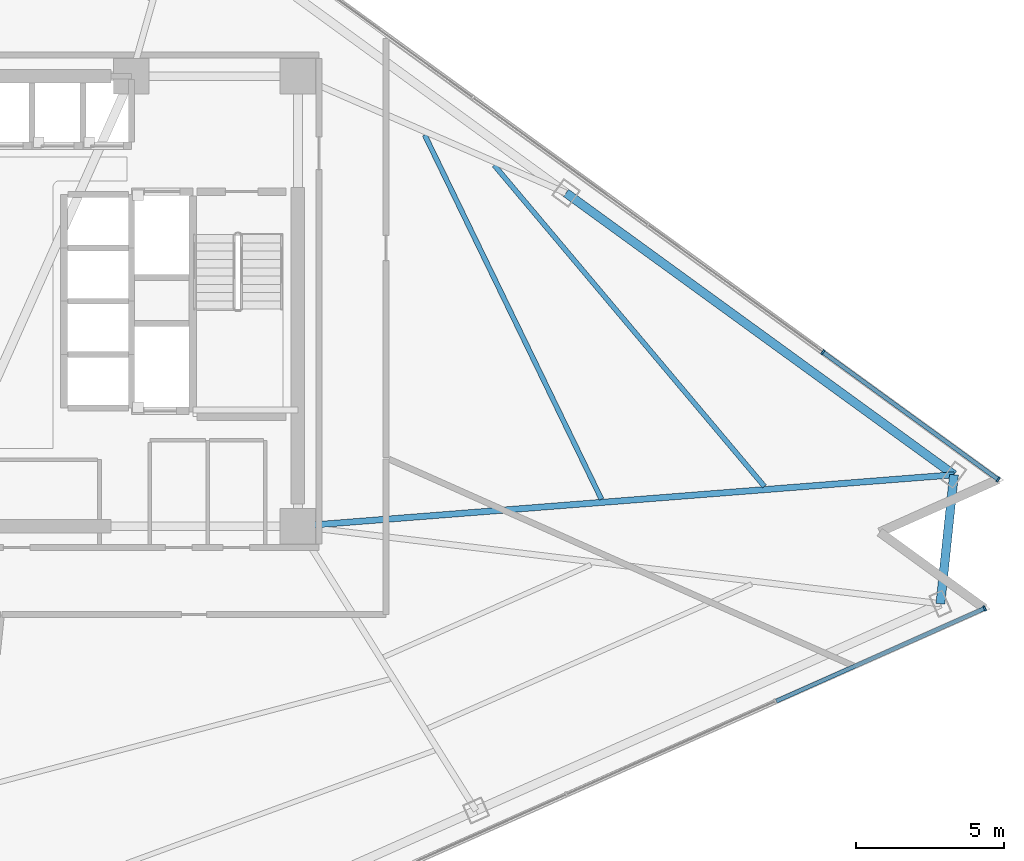
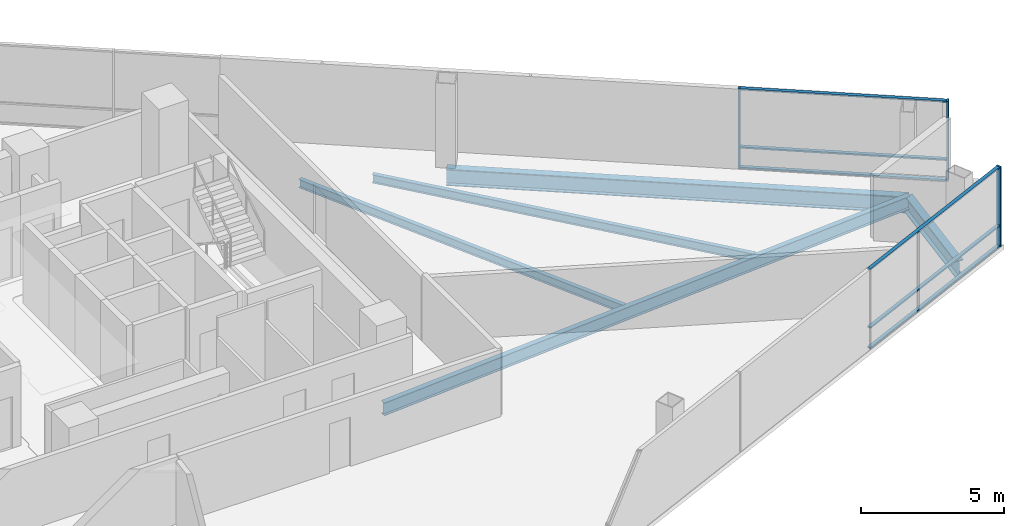
# One storey, part 6 of 16: 9 members, 5 beams, 2 elements without a shape of their own.
"""IFC4 building model written with IfcOpenShell, lengths in metres."""

import ifcopenshell
import ifcopenshell.guid

model = None  # the IFC model being written
_history = None  # IfcOwnerHistory: only IFC2X3 demands one
_inside = {}  # id of a spatial element -> (the spatial element, [elements in it])
_under = {}  # id of a project, library or spatial element -> (it, [spatial elements below it])
_declared = {}  # id of a project -> (the project, [libraries it declares])
_typed = {}  # id of a type object -> (the type object, [elements of that type])
_made_of = {}  # id of a material, layer set ... -> (it, [elements and type objects made of it])


def new_model(schema):
    """Start an empty IFC model of exactly this schema.

    Asked for "IFC4X3", IfcOpenShell would pick the latest addendum, in which some entities
    have other attributes; the version numbers below select the first issue.
    IFC2X3 requires an IfcOwnerHistory on every rooted entity: one is made here for all.
    """
    global model, _history
    if schema == "IFC4X3":
        model = ifcopenshell.file(schema_version=(4, 3, 0, 0))
    else:
        model = ifcopenshell.file(schema=schema)
    _inside.clear()
    _under.clear()
    _declared.clear()
    _typed.clear()
    _made_of.clear()
    _history = None
    if model.schema == "IFC2X3":
        org = make("IfcOrganization", Name="unknown")
        user = make(
            "IfcPersonAndOrganization",
            ThePerson=make("IfcPerson", FamilyName="unknown"),
            TheOrganization=org,
        )
        app = make(
            "IfcApplication",
            ApplicationDeveloper=org,
            Version="unknown",
            ApplicationFullName="unknown",
            ApplicationIdentifier="unknown",
        )
        _history = make(
            "IfcOwnerHistory",
            OwningUser=user,
            OwningApplication=app,
            ChangeAction="ADDED",
            CreationDate=0,
        )
    return model


def make(cls, **values):
    """One entity of the class cls with the attributes given. An attribute that is None is left unset."""
    return model.create_entity(
        cls, **{name: value for name, value in values.items() if value is not None}
    )


def rooted(cls, **values):
    """An entity with a GlobalId (a new one), such as an element, a storey or a relation."""
    return make(cls, GlobalId=ifcopenshell.guid.new(), OwnerHistory=_history, **values)


def si_unit(unit_type, name, prefix=None):
    """IfcSIUnit, for example si_unit("LENGTHUNIT", "METRE", prefix="MILLI")."""
    return make("IfcSIUnit", UnitType=unit_type, Prefix=prefix, Name=name)


def assignment(units):
    """IfcUnitAssignment: the units of a project."""
    return None if units is None else make("IfcUnitAssignment", Units=units)


def point(xyz):
    """IfcCartesianPoint."""
    return None if xyz is None else make("IfcCartesianPoint", Coordinates=xyz)


def direction(xyz):
    """IfcDirection."""
    return None if xyz is None else make("IfcDirection", DirectionRatios=xyz)


def frame(location, z_axis=None, x_axis=None):
    """IfcAxis2Placement3D, a coordinate frame: its origin and axes. An axis left out is left unset."""
    return make(
        "IfcAxis2Placement3D",
        Location=point(location),
        Axis=direction(z_axis),
        RefDirection=direction(x_axis),
    )


def frame_2d(location, x_axis=None):
    """IfcAxis2Placement2D, a coordinate frame in the plane: its origin and x axis."""
    return make(
        "IfcAxis2Placement2D", Location=point(location), RefDirection=direction(x_axis)
    )


def origin():
    """The frame at (0, 0, 0) with its axes left unset."""
    return frame((0.0, 0.0, 0.0))


def origin_2d():
    """The frame at (0, 0) in the plane with its x axis left unset."""
    return frame_2d((0.0, 0.0))


def place(relative_to, where):
    """IfcLocalPlacement: puts the frame where relative to a parent placement (None: the world)."""
    return make(
        "IfcLocalPlacement", PlacementRelTo=relative_to, RelativePlacement=where
    )


def context(
    kind, dimensions, precision=None, world=None, true_north=None, identifier=None
):
    """IfcGeometricRepresentationContext, for example the 3D "Model" context."""
    return make(
        "IfcGeometricRepresentationContext",
        ContextIdentifier=identifier,
        ContextType=kind,
        CoordinateSpaceDimension=dimensions,
        Precision=precision,
        WorldCoordinateSystem=world,
        TrueNorth=true_north,
    )


def subcontext(parent, identifier, kind, view, scale=None):
    """IfcGeometricRepresentationSubContext, for example "Body" below "Model"."""
    return make(
        "IfcGeometricRepresentationSubContext",
        ContextIdentifier=identifier,
        ContextType=kind,
        ParentContext=parent,
        TargetScale=scale,
        TargetView=view,
    )


def project(units=None, contexts=None):
    """IfcProject with its units and contexts."""
    return rooted(
        "IfcProject",
        Name="project",
        RepresentationContexts=contexts,
        UnitsInContext=assignment(units),
    )


def spatial(cls, under=None, at=None, **own):
    """A site, building, storey or space (cls), placed at a placement, below another one or the project."""
    s = rooted(cls, ObjectPlacement=at, **own)
    if under is not None:
        _under.setdefault(under.id(), (under, []))[1].append(s)
    return s


def profile(cls, at=None, kind="AREA", **sizes):
    """A parametric profile (cls). Its sizes go by their IFC names, for example OverallWidth=200.0."""
    return make(cls, ProfileType=kind, Position=at, **sizes)


def rectangle(**sizes):
    """IfcRectangleProfileDef."""
    return profile("IfcRectangleProfileDef", **sizes)


def i_section(**sizes):
    """IfcIShapeProfileDef."""
    return profile("IfcIShapeProfileDef", **sizes)


def extrude(swept, where, along, depth):
    """IfcExtrudedAreaSolid: the profile swept, set in the frame where, extruded along a direction by depth."""
    return make(
        "IfcExtrudedAreaSolid",
        SweptArea=swept,
        Position=where,
        ExtrudedDirection=direction(along),
        Depth=depth,
    )


def shape(context_of_items, identifier, shape_type, items):
    """IfcShapeRepresentation: the items that make up one representation, for example the "Body"."""
    return make(
        "IfcShapeRepresentation",
        ContextOfItems=context_of_items,
        RepresentationIdentifier=identifier,
        RepresentationType=shape_type,
        Items=items,
    )


def material(Name=None, Category=None):
    """IfcMaterial."""
    return make("IfcMaterial", Name=Name, Category=Category)


def layer(
    of_material, thickness, ventilated=None, Name=None, Category=None, Priority=None
):
    """IfcMaterialLayer: one layer of a wall or slab, of a material (None: an air gap)."""
    return make(
        "IfcMaterialLayer",
        Material=of_material,
        LayerThickness=thickness,
        IsVentilated=ventilated,
        Name=Name,
        Category=Category,
        Priority=Priority,
    )


def layer_set(layers, Name=None):
    """IfcMaterialLayerSet."""
    return make("IfcMaterialLayerSet", MaterialLayers=layers, LayerSetName=Name)


def material_profile(
    of_material, cross_section, Name=None, Category=None, Priority=None
):
    """IfcMaterialProfile: a cross section and its material."""
    return make(
        "IfcMaterialProfile",
        Name=Name,
        Material=of_material,
        Profile=cross_section,
        Priority=Priority,
        Category=Category,
    )


def profile_set(profiles, Name=None, composite=None):
    """IfcMaterialProfileSet."""
    return make(
        "IfcMaterialProfileSet",
        Name=Name,
        MaterialProfiles=profiles,
        CompositeProfile=composite,
    )


def made_of(thing, what):
    """Note that an element or type object is made of a material, layer set ...; save() writes the relation."""
    if what is not None:
        _made_of.setdefault(what.id(), (what, []))[1].append(thing)
    return thing


def type_object(cls, material=None, **own):
    """A type object (cls), such as IfcWallType, which elements share."""
    return made_of(rooted(cls, **own), material)


def element(
    cls,
    number,
    at=None,
    inside=None,
    cuts=None,
    type_object=None,
    material=None,
    context=None,
    identifier="Body",
    shape_type=None,
    held_by="IfcProductDefinitionShape",
    body=None,
    shapes=None,
    **own,
):
    """One element of the class cls, such as IfcWall. Its Tag is "e" and its number.

    at: its placement. inside: the storey or other place that contains it. cuts: it is an
    opening in that element (IfcRelVoidsElement). A single representation is given by context,
    identifier, shape_type and body (its items); several are given by shapes. held_by: the class
    of the entity that holds the representations. save() writes the other relations.
    """
    e = rooted(cls, Tag="e%d" % number, ObjectPlacement=at, **own)
    if body is not None:
        shapes = [shape(context, identifier, shape_type, body)]
    if shapes is not None:
        e.Representation = make(held_by, Representations=shapes)
    if inside is not None:
        _inside.setdefault(inside.id(), (inside, []))[1].append(e)
    if cuts is not None:
        rooted(
            "IfcRelVoidsElement", RelatingBuildingElement=cuts, RelatedOpeningElement=e
        )
    if type_object is not None:
        _typed.setdefault(type_object.id(), (type_object, []))[1].append(e)
    return made_of(e, material)


def aggregate(whole, parts):
    """IfcRelAggregates: a whole, such as a stair, and the parts it consists of."""
    return rooted("IfcRelAggregates", RelatingObject=whole, RelatedObjects=parts)


def save(model, path):
    """Write the relations noted so far, then the file.

    IfcRelAggregates (storeys below a building ...), IfcRelContainedInSpatialStructure (elements
    in a storey), IfcRelDefinesByType, IfcRelAssociatesMaterial and IfcRelDeclares: one each for
    every whole, place, type object, material and project.
    """
    for whole, parts in _under.values():
        aggregate(whole, parts)
    for where, things in _inside.values():
        rooted(
            "IfcRelContainedInSpatialStructure",
            RelatedElements=things,
            RelatingStructure=where,
        )
    for kind, things in _typed.values():
        rooted("IfcRelDefinesByType", RelatedObjects=things, RelatingType=kind)
    for what, things in _made_of.values():
        rooted("IfcRelAssociatesMaterial", RelatedObjects=things, RelatingMaterial=what)
    for by, libraries in _declared.values():
        rooted("IfcRelDeclares", RelatingContext=by, RelatedDefinitions=libraries)
    model.write(path)


model = new_model("IFC4")

# Units and contexts
model_context = context("Model", 3, precision=1e-05, world=origin(), true_north=direction((0.0, 1.0)))
body_context = subcontext(model_context, "Body", "Model", "MODEL_VIEW")
ifc_project = project(units=[si_unit("LENGTHUNIT", "METRE"), si_unit("AREAUNIT", "SQUARE_METRE"), si_unit("VOLUMEUNIT", "CUBIC_METRE"), si_unit("PLANEANGLEUNIT", "RADIAN"), si_unit("MASSUNIT", "GRAM", prefix="KILO")], contexts=[model_context])

# Site, building, storey
site_placement = place(None, origin())
site = spatial("IfcSite", under=ifc_project, at=site_placement, CompositionType="ELEMENT")
building_placement = place(site_placement, origin())
building = spatial("IfcBuilding", under=site, at=building_placement, Name="Tharavind Bronze Gate", CompositionType="ELEMENT")
storey_placement = place(building_placement, frame((0.0, 0.0, 130.449951171875)))
storey = spatial("IfcBuildingStorey", under=building, at=storey_placement, Name="L33", CompositionType="ELEMENT", Elevation=130.449951171875)

# Curtain wall, member
ifc_material_1 = material(Name="Anodised Bronze Aluminium", Category="aluminium")
ifc_layer = layer(ifc_material_1, 0.219970703125)
ifc_layer_set = layer_set([ifc_layer], Name="Anodised Bronze Aluminium")
curtain_wall_type = type_object("IfcCurtainWallType", Name="UNITISED CURTAIN WALL LOWER OFFICE", PredefinedType="USERDEFINED", material=ifc_layer_set)
curtain_wall_1_placement = place(storey_placement, origin())
curtain_wall_1 = element("IfcCurtainWall", 1, at=curtain_wall_1_placement, inside=storey, type_object=curtain_wall_type, Name="L33 unitised curtain wall lower office CW-L33-S2", ObjectType="UNITISED CURTAIN WALL", PredefinedType="USERDEFINED")
member_type_1 = type_object("IfcMemberType", Name="CURTAIN WALL BRONZE MULLION 65X180", PredefinedType="MULLION", material=ifc_material_1)
member_1_placement = place(storey_placement, frame((32.099853515625, -10.3759765625, 0.0), z_axis=(0.0, 0.0, 1.0), x_axis=(0.913545457643, 0.406736643076, 0.0)))
member_1 = element("IfcMember", 2, at=member_1_placement, type_object=member_type_1, Name="CW-L33-S2 mullion 8", PredefinedType="MULLION", context=body_context, shape_type="SweptSolid", body=[
    extrude(rectangle(XDim=0.06494140625, YDim=0.179931640625, at=origin_2d()), origin(), (0.0, 0.0, 1.0), 3.409912109375),
])

# Curtain wall, members
curtain_wall_2_placement = place(storey_placement, origin())
curtain_wall_2 = element("IfcCurtainWall", 3, at=curtain_wall_2_placement, inside=storey, type_object=curtain_wall_type, Name="L33 unitised curtain wall lower office CW-L33-S3", ObjectType="UNITISED CURTAIN WALL", PredefinedType="USERDEFINED")
member_2_placement = place(storey_placement, frame((32.5576171875, -6.02001953125, 0.0), z_axis=(0.0, 0.0, 1.0), x_axis=(-0.809016994375, 0.587785252292, 0.0)))
member_2 = element("IfcMember", 4, at=member_2_placement, type_object=member_type_1, Name="CW-L33-S3 mullion 1", PredefinedType="MULLION", context=body_context, shape_type="SweptSolid", body=[
    extrude(rectangle(XDim=0.06494140625, YDim=0.179931640625, at=origin_2d()), origin(), (0.0, 0.0, 1.0), 3.409912109375),
])
member_3_placement = place(storey_placement, frame((26.64111328125, -1.72119140625, 0.0), z_axis=(0.0, 0.0, 1.0), x_axis=(-0.809016994375, 0.587785252292, 0.0)))
member_3 = element("IfcMember", 5, at=member_3_placement, type_object=member_type_1, Name="CW-L33-S3 mullion 2", PredefinedType="MULLION", context=body_context, shape_type="SweptSolid", body=[
    extrude(rectangle(XDim=0.06494140625, YDim=0.179931640625, at=origin_2d()), origin(), (0.0, 0.0, 1.0), 3.409912109375),
])

# Member
member_type_2 = type_object("IfcMemberType", Name="CURTAIN WALL BRONZE TRANSOM 65X140", PredefinedType="USERDEFINED", material=ifc_material_1)
member_4_placement = place(storey_placement, frame((28.568603515625, -11.947998046875, 0.0), z_axis=(0.0, 0.0, 1.0), x_axis=(0.913545457643, 0.406736643076, 0.0)))
member_4 = element("IfcMember", 6, at=member_4_placement, type_object=member_type_2, Name="CW-L33-S2 transom TB7", ObjectType="TRANSOM", PredefinedType="USERDEFINED", context=body_context, shape_type="SweptSolid", body=[
    extrude(rectangle(XDim=7.677490234375, YDim=0.139892578125, at=origin_2d()), origin(), (0.0, 0.0, 1.0), 0.06494140625),
])

member_5_placement = place(storey_placement, frame((28.568603515625, -11.947998046875, 0.86767578125), z_axis=(0.0, 0.0, 1.0), x_axis=(0.913545457643, 0.406736643076, 0.0)))
member_5 = element("IfcMember", 7, at=member_5_placement, type_object=member_type_2, Name="CW-L33-S2 transom TS7", ObjectType="TRANSOM", PredefinedType="USERDEFINED", context=body_context, shape_type="SweptSolid", body=[
    extrude(rectangle(XDim=7.677490234375, YDim=0.139892578125, at=origin_2d()), origin(), (0.0, 0.0, 1.0), 0.06494140625),
])

member_6_placement = place(storey_placement, frame((28.568603515625, -11.947998046875, 3.344970703125), z_axis=(0.0, 0.0, 1.0), x_axis=(0.913545457643, 0.406736643076, 0.0)))
member_6 = element("IfcMember", 8, at=member_6_placement, type_object=member_type_2, Name="CW-L33-S2 transom TT7", ObjectType="TRANSOM", PredefinedType="USERDEFINED", context=body_context, shape_type="SweptSolid", body=[
    extrude(rectangle(XDim=7.677490234375, YDim=0.139892578125, at=origin_2d()), origin(), (0.0, 0.0, 1.0), 0.06494140625),
])

aggregate(curtain_wall_1, [member_1, member_4, member_5, member_6])

member_7_placement = place(storey_placement, frame((29.599365234375, -3.87060546875, 0.0), z_axis=(0.0, 0.0, 1.0), x_axis=(-0.809016994375, 0.587785252292, 0.0)))
member_7 = element("IfcMember", 9, at=member_7_placement, type_object=member_type_2, Name="CW-L33-S3 transom TB1", ObjectType="TRANSOM", PredefinedType="USERDEFINED", context=body_context, shape_type="SweptSolid", body=[
    extrude(rectangle(XDim=7.260498046875, YDim=0.139892578125, at=origin_2d()), origin(), (0.0, 0.0, 1.0), 0.06494140625),
])

member_8_placement = place(storey_placement, frame((29.599365234375, -3.87060546875, 0.86767578125), z_axis=(0.0, 0.0, 1.0), x_axis=(-0.809016994375, 0.587785252292, 0.0)))
member_8 = element("IfcMember", 10, at=member_8_placement, type_object=member_type_2, Name="CW-L33-S3 transom TS1", ObjectType="TRANSOM", PredefinedType="USERDEFINED", context=body_context, shape_type="SweptSolid", body=[
    extrude(rectangle(XDim=7.260498046875, YDim=0.139892578125, at=origin_2d()), origin(), (0.0, 0.0, 1.0), 0.06494140625),
])

member_9_placement = place(storey_placement, frame((29.599365234375, -3.87060546875, 3.344970703125), z_axis=(0.0, 0.0, 1.0), x_axis=(-0.809016994375, 0.587785252292, 0.0)))
member_9 = element("IfcMember", 11, at=member_9_placement, type_object=member_type_2, Name="CW-L33-S3 transom TT1", ObjectType="TRANSOM", PredefinedType="USERDEFINED", context=body_context, shape_type="SweptSolid", body=[
    extrude(rectangle(XDim=7.260498046875, YDim=0.139892578125, at=origin_2d()), origin(), (0.0, 0.0, 1.0), 0.06494140625),
])

aggregate(curtain_wall_2, [member_2, member_3, member_7, member_8, member_9])

# Beams
ifc_material_2 = material(Name="Steel S355", Category="steel")
ifc_material_profile_1 = material_profile(ifc_material_2, i_section(OverallWidth=0.2099609375, OverallDepth=0.550048828125, WebThickness=0.010986328125, FlangeThickness=0.01708984375, at=origin_2d()), Name="IPE550")
ifc_profile_set_1 = profile_set([ifc_material_profile_1], Name="Steel S355")
beam_type_1 = type_object("IfcBeamType", Name="PRIMARY GIRDER IPE550", PredefinedType="USERDEFINED", material=ifc_profile_set_1)
beam_1_placement = place(storey_placement, frame((31.06591796875, -5.863037109375, -0.46484375), z_axis=(-0.996943461066, -0.078126406792, 0.0), x_axis=(0.078126406792, -0.996943461066, 0.0)))
element("IfcBeam", 12, at=beam_1_placement, inside=storey, type_object=beam_type_1, Name="L33 primary girder ipe550 BM-L33-RAD09", ObjectType="GIRDER", PredefinedType="USERDEFINED", context=body_context, shape_type="SweptSolid", body=[
    extrude(i_section(OverallWidth=0.2099609375, OverallDepth=0.550048828125, WebThickness=0.010986328125, FlangeThickness=0.01708984375, at=origin_2d()), origin(), (0.0, 0.0, 1.0), 22.23388671875),
])
ifc_material_profile_2 = material_profile(ifc_material_2, i_section(OverallWidth=0.300048828125, OverallDepth=0.699951171875, WebThickness=0.01708984375, FlangeThickness=0.031982421875, at=origin_2d()), Name="HE700B")
ifc_profile_set_2 = profile_set([ifc_material_profile_2], Name="Steel S355")
beam_type_2 = type_object("IfcBeamType", Name="RING GIRDER HE700B", PredefinedType="USERDEFINED", material=ifc_profile_set_2)
beam_2_placement = place(storey_placement, frame((30.60791015625, -10.218994140625, -0.5400390625), z_axis=(0.1045687219, 0.994517663192, 0.0), x_axis=(-0.994517663192, 0.1045687219, 0.0)))
element("IfcBeam", 13, at=beam_2_placement, inside=storey, type_object=beam_type_2, Name="L33 ring girder he700b BM-L33-PRG08", ObjectType="GIRDER", PredefinedType="USERDEFINED", context=body_context, shape_type="SweptSolid", body=[
    extrude(i_section(OverallWidth=0.300048828125, OverallDepth=0.699951171875, WebThickness=0.01708984375, FlangeThickness=0.031982421875, at=origin_2d()), origin(), (0.0, 0.0, 1.0), 4.3798828125),
])
beam_3_placement = place(storey_placement, frame((31.06591796875, -5.863037109375, -0.5400390625), z_axis=(-0.809014294341, 0.587788968553, 0.0), x_axis=(-0.587788968553, -0.809014294341, 0.0)))
element("IfcBeam", 14, at=beam_3_placement, inside=storey, type_object=beam_type_2, Name="L33 ring girder he700b BM-L33-PRG09", ObjectType="GIRDER", PredefinedType="USERDEFINED", context=body_context, shape_type="SweptSolid", body=[
    extrude(i_section(OverallWidth=0.300048828125, OverallDepth=0.699951171875, WebThickness=0.01708984375, FlangeThickness=0.031982421875, at=origin_2d()), origin(), (0.0, 0.0, 1.0), 16.198486328125),
])
ifc_material_profile_3 = material_profile(ifc_material_2, i_section(OverallWidth=0.169921875, OverallDepth=0.360107421875, WebThickness=0.008056640625, FlangeThickness=0.0126953125, at=origin_2d()), Name="IPE360")
ifc_profile_set_3 = profile_set([ifc_material_profile_3], Name="Steel S355")
beam_type_3 = type_object("IfcBeamType", Name="SECONDARY FLOOR JOIST IPE360", PredefinedType="JOIST", material=ifc_profile_set_3)
beam_4_placement = place(storey_placement, frame((19.15625, -6.687255859375, -0.369873046875), z_axis=(-0.436529248779, 0.899690066056, 0.0), x_axis=(-0.899690066056, -0.436529248779, 0.0)))
element("IfcBeam", 15, at=beam_4_placement, inside=storey, type_object=beam_type_3, Name="L33 secondary floor joist ipe360 BM-L33-JSTA09", PredefinedType="JOIST", context=body_context, shape_type="SweptSolid", body=[
    extrude(i_section(OverallWidth=0.169921875, OverallDepth=0.360107421875, WebThickness=0.008056640625, FlangeThickness=0.0126953125, at=origin_2d()), origin(), (0.0, 0.0, 1.0), 13.677734375),
])
beam_5_placement = place(storey_placement, frame((24.662841796875, -6.256103515625, -0.369873046875), z_axis=(-0.643699388619, 0.765278444157, 0.0), x_axis=(-0.765278444157, -0.643699388619, 0.0)))
element("IfcBeam", 16, at=beam_5_placement, inside=storey, type_object=beam_type_3, Name="L33 secondary floor joist ipe360 BM-L33-JSTB09", PredefinedType="JOIST", context=body_context, shape_type="SweptSolid", body=[
    extrude(i_section(OverallWidth=0.169921875, OverallDepth=0.360107421875, WebThickness=0.008056640625, FlangeThickness=0.0126953125, at=origin_2d()), origin(), (0.0, 0.0, 1.0), 14.18310546875),
])

save(model, "model.ifc")
